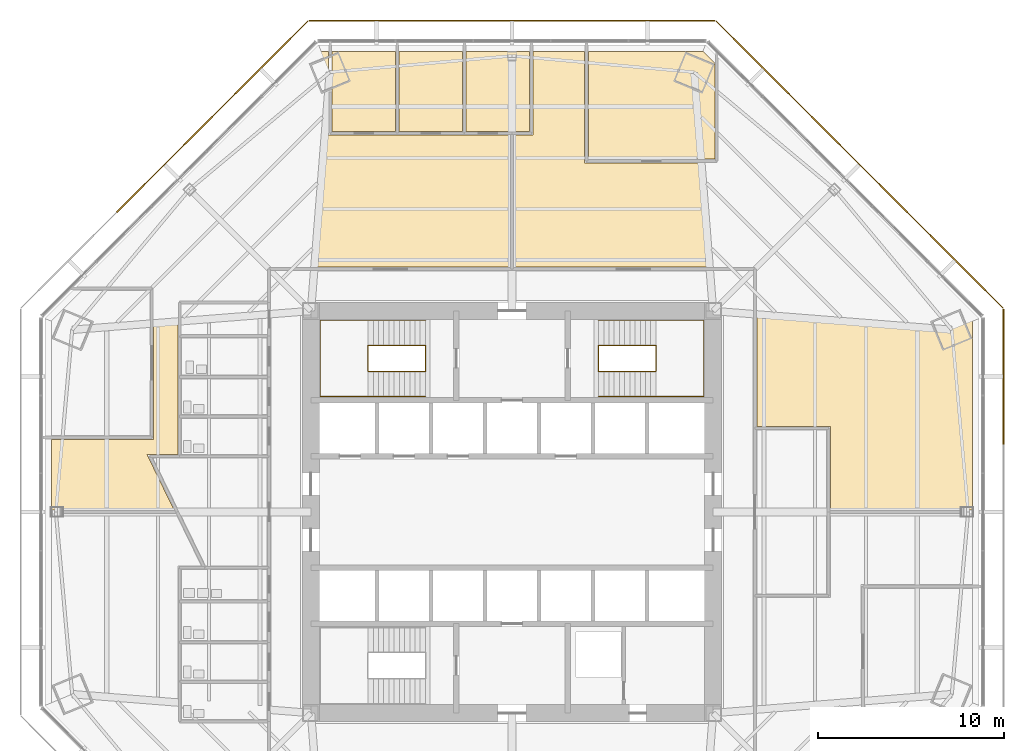
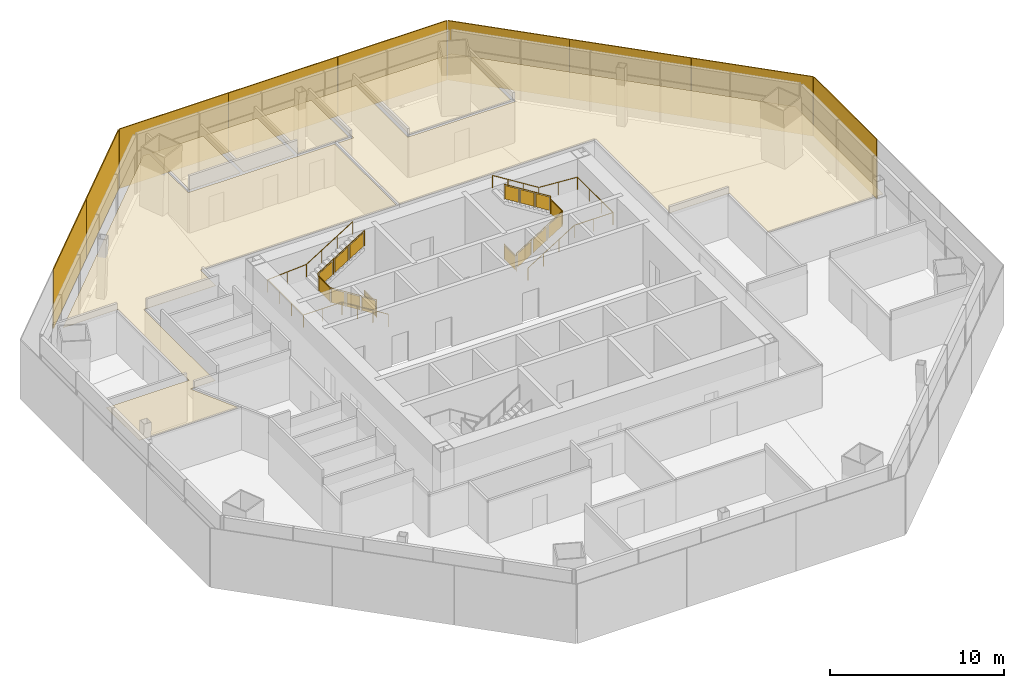
# One storey, part 15 of 16: 9 shading devices, 6 coverings, 4 railings.
"""IFC4 building model written with IfcOpenShell, lengths in metres."""

from ifc_helpers import new_model, si_unit, direction, frame, origin, origin_2d, place, context, subcontext, project, spatial, polyline, rectangle, circle, outline, extrude, source, transform, mapped, material, layer, layer_set, type_object, type_shapes, element, save


model = new_model("IFC4")

# Units and contexts
model_context = context("Model", 3, precision=1e-05, world=origin(), true_north=direction((0.0, 1.0)))
body_context = subcontext(model_context, "Body", "Model", "MODEL_VIEW")
ifc_project = project(units=[si_unit("LENGTHUNIT", "METRE"), si_unit("AREAUNIT", "SQUARE_METRE"), si_unit("VOLUMEUNIT", "CUBIC_METRE"), si_unit("PLANEANGLEUNIT", "RADIAN"), si_unit("MASSUNIT", "GRAM", prefix="KILO")], contexts=[model_context])

# Site, building, storey
site_placement = place(None, origin())
site = spatial("IfcSite", under=ifc_project, at=site_placement, CompositionType="ELEMENT")
building_placement = place(site_placement, origin())
building = spatial("IfcBuilding", under=site, at=building_placement, Name="Mashrafa Tower", CompositionType="ELEMENT")
storey_placement = place(building_placement, frame((0.0, 0.0, 96.0)))
storey = spatial("IfcBuildingStorey", under=building, at=storey_placement, Name="L21", CompositionType="ELEMENT", Elevation=96.0)

# Railings
ifc_material_1 = material(Name="Steel guard with glass infill", Category="steel")
railing_type_1 = type_object("IfcRailingType", Name="Stair guard 1100", PredefinedType="GUARDRAIL", material=ifc_material_1)
railing_1_placement = place(storey_placement, frame((-4.64990234375, 8.949951171875, 0.0)))
element("IfcRailing", 1, at=railing_1_placement, inside=storey, type_object=railing_type_1, Name="Stair S1 guard L21", PredefinedType="GUARDRAIL", context=body_context, shape_type="SweptSolid", body=[
    extrude(circle(Radius=0.02392578125, at=origin_2d()), frame((0.0, 0.0, 1.076171875), z_axis=(0.0, -1.0, 0.0), x_axis=(1.0, 0.0, 0.0)), (0.0, 0.0, 1.0), 1.39990234375),
    extrude(circle(Radius=0.02392578125, at=origin_2d()), frame((0.0, -1.39990234375, 1.076171875), z_axis=(0.0, 0.0, 1.0), x_axis=(1.0, 0.0, 0.0)), (0.0, 0.0, 1.0), 0.175048828125),
    extrude(circle(Radius=0.02392578125, at=origin_2d()), frame((0.0, -1.39990234375, 1.2509765625), z_axis=(-0.847998304005, 0.0, 0.529998940003), x_axis=(0.0, -1.0, 0.0)), (0.0, 0.0, 1.0), 3.632080078125),
    extrude(circle(Radius=0.02392578125, at=origin_2d()), frame((-3.080078125, -1.39990234375, 3.17626953125), z_axis=(0.0, 1.0, 0.0), x_axis=(-1.0, 0.0, 0.0)), (0.0, 0.0, 1.0), 1.39990234375),
    extrude(circle(Radius=0.02392578125, at=origin_2d()), frame((-3.080078125, 0.0, 3.17626953125), z_axis=(0.0, 0.0, 1.0), x_axis=(1.0, 0.0, 0.0)), (0.0, 0.0, 1.0), 0.1748046875),
    extrude(circle(Radius=0.02392578125, at=origin_2d()), frame((-3.080078125, 0.0, 3.35107421875), z_axis=(0.847998304005, 0.0, 0.529998940003), x_axis=(0.0, 1.0, 0.0)), (0.0, 0.0, 1.0), 3.632080078125),
    extrude(circle(Radius=0.02099609375, at=origin_2d()), origin(), (0.0, 0.0, 1.0), 1.052001953125),
    extrude(circle(Radius=0.02099609375, at=origin_2d()), frame((0.0, -1.39990234375, 0.0)), (0.0, 0.0, 1.0), 1.052001953125),
    extrude(circle(Radius=0.02099609375, at=origin_2d()), frame((0.0, -1.39990234375, 0.175048828125)), (0.0, 0.0, 1.0), 1.052001953125),
    extrude(circle(Radius=0.02099609375, at=origin_2d()), frame((-1.026611328125, -1.39990234375, 0.816650390625)), (0.0, 0.0, 1.0), 1.052001953125),
    extrude(circle(Radius=0.02099609375, at=origin_2d()), frame((-2.053466796875, -1.39990234375, 1.45849609375)), (0.0, 0.0, 1.0), 1.052001953125),
    extrude(circle(Radius=0.02099609375, at=origin_2d()), frame((-3.080078125, -1.39990234375, 2.10009765625)), (0.0, 0.0, 1.0), 1.052001953125),
    extrude(circle(Radius=0.02099609375, at=origin_2d()), frame((-3.080078125, 0.0, 2.10009765625)), (0.0, 0.0, 1.0), 1.052001953125),
    extrude(circle(Radius=0.02099609375, at=origin_2d()), frame((-3.080078125, 0.0, 2.27490234375)), (0.0, 0.0, 1.0), 1.052001953125),
    extrude(circle(Radius=0.02099609375, at=origin_2d()), frame((-2.053466796875, 0.0, 2.91650390625)), (0.0, 0.0, 1.0), 1.052001953125),
    extrude(circle(Radius=0.02099609375, at=origin_2d()), frame((-1.026611328125, 0.0, 3.558349609375)), (0.0, 0.0, 1.0), 1.052001953125),
    extrude(circle(Radius=0.02099609375, at=origin_2d()), frame((0.0, 0.0, 4.199951171875)), (0.0, 0.0, 1.0), 1.052001953125),
    extrude(outline(polyline([(0.071044921875, 0.050048828125), (1.328857421875, 0.050048828125), (1.328857421875, 1.001953125), (0.071044921875, 1.001953125), (0.071044921875, 0.050048828125)])), frame((-0.006103515625, 0.0, 0.0), z_axis=(-1.0, 0.0, 0.0), x_axis=(0.0, -1.0, 0.0)), (0.0, 0.0, 1.0), 0.011962890625),
    extrude(outline(polyline([(0.071044921875, 0.094482421875), (0.955810546875, 0.647216796875), (0.955810546875, 1.599365234375), (0.071044921875, 1.04638671875), (0.071044921875, 0.094482421875)])), frame((0.0, -1.393798828125, 0.175048828125), z_axis=(0.0, 1.0, 0.0), x_axis=(-1.0, 0.0, 0.0)), (0.0, 0.0, 1.0), 0.011962890625),
    extrude(outline(polyline([(1.09765625, 0.736083984375), (1.982421875, 1.2890625), (1.982421875, 2.240966796875), (1.09765625, 1.68798828125), (1.09765625, 0.736083984375)])), frame((0.0, -1.393798828125, 0.175048828125), z_axis=(0.0, 1.0, 0.0), x_axis=(-1.0, 0.0, 0.0)), (0.0, 0.0, 1.0), 0.011962890625),
    extrude(outline(polyline([(2.124267578125, 1.377685546875), (3.009033203125, 1.9306640625), (3.009033203125, 2.882568359375), (2.124267578125, 2.329833984375), (2.124267578125, 1.377685546875)])), frame((0.0, -1.393798828125, 0.175048828125), z_axis=(0.0, 1.0, 0.0), x_axis=(-1.0, 0.0, 0.0)), (0.0, 0.0, 1.0), 0.011962890625),
    extrude(outline(polyline([(0.071044921875, 0.050048828125), (1.328857421875, 0.050048828125), (1.328857421875, 1.001953125), (0.071044921875, 1.001953125), (0.071044921875, 0.050048828125)])), frame((-3.073974609375, -1.39990234375, 2.10009765625), z_axis=(1.0, 0.0, 0.0), x_axis=(0.0, 1.0, 0.0)), (0.0, 0.0, 1.0), 0.011962890625),
    extrude(outline(polyline([(0.071044921875, 0.094482421875), (0.955810546875, 0.647216796875), (0.955810546875, 1.599365234375), (0.071044921875, 1.04638671875), (0.071044921875, 0.094482421875)])), frame((-3.080078125, -0.006103515625, 2.27490234375), z_axis=(0.0, -1.0, 0.0), x_axis=(1.0, 0.0, 0.0)), (0.0, 0.0, 1.0), 0.011962890625),
    extrude(outline(polyline([(1.09765625, 0.736083984375), (1.982421875, 1.2890625), (1.982421875, 2.240966796875), (1.09765625, 1.68798828125), (1.09765625, 0.736083984375)])), frame((-3.080078125, -0.006103515625, 2.27490234375), z_axis=(0.0, -1.0, 0.0), x_axis=(1.0, 0.0, 0.0)), (0.0, 0.0, 1.0), 0.011962890625),
    extrude(outline(polyline([(2.124267578125, 1.377685546875), (3.009033203125, 1.9306640625), (3.009033203125, 2.882568359375), (2.124267578125, 2.329833984375), (2.124267578125, 1.377685546875)])), frame((-3.080078125, -0.006103515625, 2.27490234375), z_axis=(0.0, -1.0, 0.0), x_axis=(1.0, 0.0, 0.0)), (0.0, 0.0, 1.0), 0.011962890625),
])
railing_2_placement = place(storey_placement, frame((4.64990234375, 8.949951171875, 0.0)))
element("IfcRailing", 2, at=railing_2_placement, inside=storey, type_object=railing_type_1, Name="Stair S2 guard L21", PredefinedType="GUARDRAIL", context=body_context, shape_type="SweptSolid", body=[
    extrude(circle(Radius=0.02392578125, at=origin_2d()), frame((0.0, 0.0, 1.076171875), z_axis=(0.0, -1.0, 0.0), x_axis=(1.0, 0.0, 0.0)), (0.0, 0.0, 1.0), 1.39990234375),
    extrude(circle(Radius=0.02392578125, at=origin_2d()), frame((0.0, -1.39990234375, 1.076171875), z_axis=(0.0, 0.0, 1.0), x_axis=(1.0, 0.0, 0.0)), (0.0, 0.0, 1.0), 0.175048828125),
    extrude(circle(Radius=0.02392578125, at=origin_2d()), frame((0.0, -1.39990234375, 1.2509765625), z_axis=(0.847998304005, 0.0, 0.529998940003), x_axis=(0.0, 1.0, 0.0)), (0.0, 0.0, 1.0), 3.632080078125),
    extrude(circle(Radius=0.02392578125, at=origin_2d()), frame((3.080078125, -1.39990234375, 3.17626953125), z_axis=(0.0, 1.0, 0.0), x_axis=(-1.0, 0.0, 0.0)), (0.0, 0.0, 1.0), 1.39990234375),
    extrude(circle(Radius=0.02392578125, at=origin_2d()), frame((3.080078125, 0.0, 3.17626953125), z_axis=(0.0, 0.0, 1.0), x_axis=(1.0, 0.0, 0.0)), (0.0, 0.0, 1.0), 0.1748046875),
    extrude(circle(Radius=0.02392578125, at=origin_2d()), frame((3.080078125, 0.0, 3.35107421875), z_axis=(-0.847998304005, 0.0, 0.529998940003), x_axis=(0.0, -1.0, 0.0)), (0.0, 0.0, 1.0), 3.632080078125),
    extrude(circle(Radius=0.02099609375, at=origin_2d()), origin(), (0.0, 0.0, 1.0), 1.052001953125),
    extrude(circle(Radius=0.02099609375, at=origin_2d()), frame((0.0, -1.39990234375, 0.0)), (0.0, 0.0, 1.0), 1.052001953125),
    extrude(circle(Radius=0.02099609375, at=origin_2d()), frame((0.0, -1.39990234375, 0.175048828125)), (0.0, 0.0, 1.0), 1.052001953125),
    extrude(circle(Radius=0.02099609375, at=origin_2d()), frame((1.026611328125, -1.39990234375, 0.816650390625)), (0.0, 0.0, 1.0), 1.052001953125),
    extrude(circle(Radius=0.02099609375, at=origin_2d()), frame((2.053466796875, -1.39990234375, 1.45849609375)), (0.0, 0.0, 1.0), 1.052001953125),
    extrude(circle(Radius=0.02099609375, at=origin_2d()), frame((3.080078125, -1.39990234375, 2.10009765625)), (0.0, 0.0, 1.0), 1.052001953125),
    extrude(circle(Radius=0.02099609375, at=origin_2d()), frame((3.080078125, 0.0, 2.10009765625)), (0.0, 0.0, 1.0), 1.052001953125),
    extrude(circle(Radius=0.02099609375, at=origin_2d()), frame((3.080078125, 0.0, 2.27490234375)), (0.0, 0.0, 1.0), 1.052001953125),
    extrude(circle(Radius=0.02099609375, at=origin_2d()), frame((2.053466796875, 0.0, 2.91650390625)), (0.0, 0.0, 1.0), 1.052001953125),
    extrude(circle(Radius=0.02099609375, at=origin_2d()), frame((1.026611328125, 0.0, 3.558349609375)), (0.0, 0.0, 1.0), 1.052001953125),
    extrude(circle(Radius=0.02099609375, at=origin_2d()), frame((0.0, 0.0, 4.199951171875)), (0.0, 0.0, 1.0), 1.052001953125),
    extrude(outline(polyline([(0.071044921875, 0.050048828125), (1.328857421875, 0.050048828125), (1.328857421875, 1.001953125), (0.071044921875, 1.001953125), (0.071044921875, 0.050048828125)])), frame((-0.006103515625, 0.0, 0.0), z_axis=(-1.0, 0.0, 0.0), x_axis=(0.0, -1.0, 0.0)), (0.0, 0.0, 1.0), 0.011962890625),
    extrude(outline(polyline([(0.071044921875, 0.094482421875), (0.955810546875, 0.647216796875), (0.955810546875, 1.599365234375), (0.071044921875, 1.04638671875), (0.071044921875, 0.094482421875)])), frame((0.0, -1.406005859375, 0.175048828125), z_axis=(0.0, -1.0, 0.0), x_axis=(1.0, 0.0, 0.0)), (0.0, 0.0, 1.0), 0.011962890625),
    extrude(outline(polyline([(1.09765625, 0.736083984375), (1.982421875, 1.2890625), (1.982421875, 2.240966796875), (1.09765625, 1.68798828125), (1.09765625, 0.736083984375)])), frame((0.0, -1.406005859375, 0.175048828125), z_axis=(0.0, -1.0, 0.0), x_axis=(1.0, 0.0, 0.0)), (0.0, 0.0, 1.0), 0.011962890625),
    extrude(outline(polyline([(2.124267578125, 1.377685546875), (3.009033203125, 1.9306640625), (3.009033203125, 2.882568359375), (2.124267578125, 2.329833984375), (2.124267578125, 1.377685546875)])), frame((0.0, -1.406005859375, 0.175048828125), z_axis=(0.0, -1.0, 0.0), x_axis=(1.0, 0.0, 0.0)), (0.0, 0.0, 1.0), 0.011962890625),
    extrude(outline(polyline([(0.071044921875, 0.050048828125), (1.328857421875, 0.050048828125), (1.328857421875, 1.001953125), (0.071044921875, 1.001953125), (0.071044921875, 0.050048828125)])), frame((3.086181640625, -1.39990234375, 2.10009765625), z_axis=(1.0, 0.0, 0.0), x_axis=(0.0, 1.0, 0.0)), (0.0, 0.0, 1.0), 0.011962890625),
    extrude(outline(polyline([(0.071044921875, 0.094482421875), (0.955810546875, 0.647216796875), (0.955810546875, 1.599365234375), (0.071044921875, 1.04638671875), (0.071044921875, 0.094482421875)])), frame((3.080078125, 0.006103515625, 2.27490234375), z_axis=(0.0, 1.0, 0.0), x_axis=(-1.0, 0.0, 0.0)), (0.0, 0.0, 1.0), 0.011962890625),
    extrude(outline(polyline([(1.09765625, 0.736083984375), (1.982421875, 1.2890625), (1.982421875, 2.240966796875), (1.09765625, 1.68798828125), (1.09765625, 0.736083984375)])), frame((3.080078125, 0.006103515625, 2.27490234375), z_axis=(0.0, 1.0, 0.0), x_axis=(-1.0, 0.0, 0.0)), (0.0, 0.0, 1.0), 0.011962890625),
    extrude(outline(polyline([(2.124267578125, 1.377685546875), (3.009033203125, 1.9306640625), (3.009033203125, 2.882568359375), (2.124267578125, 2.329833984375), (2.124267578125, 1.377685546875)])), frame((3.080078125, 0.006103515625, 2.27490234375), z_axis=(0.0, 1.0, 0.0), x_axis=(-1.0, 0.0, 0.0)), (0.0, 0.0, 1.0), 0.011962890625),
])
ifc_material_2 = material(Name="Steel", Category="steel")
railing_type_2 = type_object("IfcRailingType", Name="Stair handrail 900", PredefinedType="HANDRAIL", material=ifc_material_2)
railing_3_placement = place(storey_placement, frame((-4.64990234375, 6.199951171875, 0.175048828125)))
element("IfcRailing", 3, at=railing_3_placement, inside=storey, type_object=railing_type_2, Name="Stair S1 handrail L21", PredefinedType="HANDRAIL", context=body_context, shape_type="SweptSolid", body=[
    extrude(circle(Radius=0.02392578125, at=origin_2d()), frame((0.0, 0.0, 0.8759765625), z_axis=(-0.847998304005, 0.0, 0.529998940003), x_axis=(0.0, -1.0, 0.0)), (0.0, 0.0, 1.0), 3.632080078125),
    extrude(circle(Radius=0.02392578125, at=origin_2d()), frame((-3.080078125, 0.0, 2.80078125), z_axis=(-1.0, 0.0, 0.0), x_axis=(0.0, -1.0, 0.0)), (0.0, 0.0, 1.0), 2.570068359375),
    extrude(circle(Radius=0.02392578125, at=origin_2d()), frame((-5.650146484375, 0.0, 2.80078125), z_axis=(0.0, 1.0, 0.0), x_axis=(-1.0, 0.0, 0.0)), (0.0, 0.0, 1.0), 4.10009765625),
    extrude(circle(Radius=0.02392578125, at=origin_2d()), frame((-5.650146484375, 4.10009765625, 2.80078125), z_axis=(0.99769493506, 0.0, 0.067858798661), x_axis=(0.0, 1.0, 0.0)), (0.0, 0.0, 1.0), 2.575927734375),
    extrude(circle(Radius=0.02392578125, at=origin_2d()), frame((-3.080078125, 4.10009765625, 2.9755859375), z_axis=(0.847998304005, 0.0, 0.529998940003), x_axis=(0.0, 1.0, 0.0)), (0.0, 0.0, 1.0), 3.632080078125),
    extrude(circle(Radius=0.02099609375, at=origin_2d()), origin(), (0.0, 0.0, 1.0), 0.851806640625),
    extrude(circle(Radius=0.02099609375, at=origin_2d()), frame((-1.026611328125, 0.0, 0.6416015625)), (0.0, 0.0, 1.0), 0.851806640625),
    extrude(circle(Radius=0.02099609375, at=origin_2d()), frame((-2.053466796875, 0.0, 1.283447265625)), (0.0, 0.0, 1.0), 0.851806640625),
    extrude(circle(Radius=0.02099609375, at=origin_2d()), frame((-3.080078125, 0.0, 1.925048828125)), (0.0, 0.0, 1.0), 0.851806640625),
    extrude(circle(Radius=0.02099609375, at=origin_2d()), frame((-4.365234375, 0.0, 1.925048828125)), (0.0, 0.0, 1.0), 0.851806640625),
    extrude(circle(Radius=0.02099609375, at=origin_2d()), frame((-5.650146484375, 0.0, 1.925048828125)), (0.0, 0.0, 1.0), 0.851806640625),
    extrude(circle(Radius=0.02099609375, at=origin_2d()), frame((-5.650146484375, 1.36669921875, 1.925048828125)), (0.0, 0.0, 1.0), 0.851806640625),
    extrude(circle(Radius=0.02099609375, at=origin_2d()), frame((-5.650146484375, 2.7333984375, 1.925048828125)), (0.0, 0.0, 1.0), 0.851806640625),
    extrude(circle(Radius=0.02099609375, at=origin_2d()), frame((-5.650146484375, 4.10009765625, 1.925048828125)), (0.0, 0.0, 1.0), 0.851806640625),
    extrude(circle(Radius=0.02099609375, at=origin_2d()), frame((-4.365234375, 4.10009765625, 2.012451171875)), (0.0, 0.0, 1.0), 0.851806640625),
    extrude(circle(Radius=0.02099609375, at=origin_2d()), frame((-3.080078125, 4.10009765625, 2.099853515625)), (0.0, 0.0, 1.0), 0.851806640625),
    extrude(circle(Radius=0.02099609375, at=origin_2d()), frame((-2.053466796875, 4.10009765625, 2.741455078125)), (0.0, 0.0, 1.0), 0.851806640625),
    extrude(circle(Radius=0.02099609375, at=origin_2d()), frame((-1.026611328125, 4.10009765625, 3.38330078125)), (0.0, 0.0, 1.0), 0.851806640625),
    extrude(circle(Radius=0.02099609375, at=origin_2d()), frame((0.0, 4.10009765625, 4.02490234375)), (0.0, 0.0, 1.0), 0.851806640625),
])
railing_4_placement = place(storey_placement, frame((4.64990234375, 6.199951171875, 0.175048828125)))
element("IfcRailing", 4, at=railing_4_placement, inside=storey, type_object=railing_type_2, Name="Stair S2 handrail L21", PredefinedType="HANDRAIL", context=body_context, shape_type="SweptSolid", body=[
    extrude(circle(Radius=0.02392578125, at=origin_2d()), frame((0.0, 0.0, 0.8759765625), z_axis=(0.847998304005, 0.0, 0.529998940003), x_axis=(0.0, 1.0, 0.0)), (0.0, 0.0, 1.0), 3.632080078125),
    extrude(circle(Radius=0.02392578125, at=origin_2d()), frame((3.080078125, 0.0, 2.80078125), z_axis=(1.0, 0.0, 0.0), x_axis=(0.0, 1.0, 0.0)), (0.0, 0.0, 1.0), 2.570068359375),
    extrude(circle(Radius=0.02392578125, at=origin_2d()), frame((5.650146484375, 0.0, 2.80078125), z_axis=(0.0, 1.0, 0.0), x_axis=(-1.0, 0.0, 0.0)), (0.0, 0.0, 1.0), 4.10009765625),
    extrude(circle(Radius=0.02392578125, at=origin_2d()), frame((5.650146484375, 4.10009765625, 2.80078125), z_axis=(-0.99769493506, 0.0, 0.067858798661), x_axis=(0.0, -1.0, 0.0)), (0.0, 0.0, 1.0), 2.575927734375),
    extrude(circle(Radius=0.02392578125, at=origin_2d()), frame((3.080078125, 4.10009765625, 2.9755859375), z_axis=(-0.847998304005, 0.0, 0.529998940003), x_axis=(0.0, -1.0, 0.0)), (0.0, 0.0, 1.0), 3.632080078125),
    extrude(circle(Radius=0.02099609375, at=origin_2d()), origin(), (0.0, 0.0, 1.0), 0.851806640625),
    extrude(circle(Radius=0.02099609375, at=origin_2d()), frame((1.026611328125, 0.0, 0.6416015625)), (0.0, 0.0, 1.0), 0.851806640625),
    extrude(circle(Radius=0.02099609375, at=origin_2d()), frame((2.053466796875, 0.0, 1.283447265625)), (0.0, 0.0, 1.0), 0.851806640625),
    extrude(circle(Radius=0.02099609375, at=origin_2d()), frame((3.080078125, 0.0, 1.925048828125)), (0.0, 0.0, 1.0), 0.851806640625),
    extrude(circle(Radius=0.02099609375, at=origin_2d()), frame((4.365234375, 0.0, 1.925048828125)), (0.0, 0.0, 1.0), 0.851806640625),
    extrude(circle(Radius=0.02099609375, at=origin_2d()), frame((5.650146484375, 0.0, 1.925048828125)), (0.0, 0.0, 1.0), 0.851806640625),
    extrude(circle(Radius=0.02099609375, at=origin_2d()), frame((5.650146484375, 1.36669921875, 1.925048828125)), (0.0, 0.0, 1.0), 0.851806640625),
    extrude(circle(Radius=0.02099609375, at=origin_2d()), frame((5.650146484375, 2.7333984375, 1.925048828125)), (0.0, 0.0, 1.0), 0.851806640625),
    extrude(circle(Radius=0.02099609375, at=origin_2d()), frame((5.650146484375, 4.10009765625, 1.925048828125)), (0.0, 0.0, 1.0), 0.851806640625),
    extrude(circle(Radius=0.02099609375, at=origin_2d()), frame((4.365234375, 4.10009765625, 2.012451171875)), (0.0, 0.0, 1.0), 0.851806640625),
    extrude(circle(Radius=0.02099609375, at=origin_2d()), frame((3.080078125, 4.10009765625, 2.099853515625)), (0.0, 0.0, 1.0), 0.851806640625),
    extrude(circle(Radius=0.02099609375, at=origin_2d()), frame((2.053466796875, 4.10009765625, 2.741455078125)), (0.0, 0.0, 1.0), 0.851806640625),
    extrude(circle(Radius=0.02099609375, at=origin_2d()), frame((1.026611328125, 4.10009765625, 3.38330078125)), (0.0, 0.0, 1.0), 0.851806640625),
    extrude(circle(Radius=0.02099609375, at=origin_2d()), frame((0.0, 4.10009765625, 4.02490234375)), (0.0, 0.0, 1.0), 0.851806640625),
])

# Coverings
ifc_material_3 = material(Name="Mineral fibre tile on suspension grid")
ifc_layer_1 = layer(ifc_material_3, 0.014892578125)
ifc_layer_set_1 = layer_set([ifc_layer_1], Name="Suspended ceiling mineral tile 15")
covering_type = type_object("IfcCoveringType", Name="Suspended ceiling mineral tile 15", PredefinedType="CEILING", material=ifc_layer_set_1)
covering_1_placement = place(storey_placement, frame((0.0, 0.0, 2.89990234375)))
element("IfcCovering", 5, at=covering_1_placement, inside=storey, type_object=covering_type, Name="Ceiling Chairman's Office 21", PredefinedType="CEILING", context=body_context, shape_type="SweptSolid", body=[
    extrude(outline(polyline([(4.10009765625, 24.7490234375), (10.25146484375, 24.7490234375), (10.89990234375, 24.100341796875), (10.89990234375, 18.948974609375), (4.10009765625, 18.948974609375), (4.10009765625, 24.7490234375)])), origin(), (0.0, 0.0, 1.0), 0.01513671875),
])
covering_2_placement = place(storey_placement, frame((0.0, 0.0, 2.89990234375)))
element("IfcCovering", 6, at=covering_2_placement, inside=storey, type_object=covering_type, Name="Ceiling Executive Office 21-1", PredefinedType="CEILING", context=body_context, shape_type="SweptSolid", body=[
    extrude(outline(polyline([(-2.458984375, 24.7490234375), (0.94091796875, 24.7490234375), (0.94091796875, 20.448974609375), (-2.458984375, 20.448974609375), (-2.458984375, 24.7490234375)])), origin(), (0.0, 0.0, 1.0), 0.01513671875),
])
covering_3_placement = place(storey_placement, frame((0.0, 0.0, 2.89990234375)))
element("IfcCovering", 7, at=covering_3_placement, inside=storey, type_object=covering_type, Name="Ceiling Executive Office 21-2", PredefinedType="CEILING", context=body_context, shape_type="SweptSolid", body=[
    extrude(outline(polyline([(-6.05908203125, 24.7490234375), (-2.658935546875, 24.7490234375), (-2.658935546875, 20.448974609375), (-6.05908203125, 20.448974609375), (-6.05908203125, 24.7490234375)])), origin(), (0.0, 0.0, 1.0), 0.01513671875),
])
covering_4_placement = place(storey_placement, frame((0.0, 0.0, 2.89990234375)))
element("IfcCovering", 8, at=covering_4_placement, inside=storey, type_object=covering_type, Name="Ceiling Executive Office 21-3", PredefinedType="CEILING", context=body_context, shape_type="SweptSolid", body=[
    extrude(outline(polyline([(-9.658935546875, 24.7490234375), (-6.259033203125, 24.7490234375), (-6.259033203125, 20.448974609375), (-9.658935546875, 20.448974609375), (-9.658935546875, 24.7490234375)])), origin(), (0.0, 0.0, 1.0), 0.01513671875),
])
covering_5_placement = place(storey_placement, frame((0.0, 0.0, 2.89990234375)))
element("IfcCovering", 9, at=covering_5_placement, inside=storey, type_object=covering_type, Name="Ceiling Executive Support Office 21-NE", PredefinedType="CEILING", context=body_context, shape_type="SweptSolid", body=[
    extrude(outline(polyline([(0.10009765625, 13.14990234375), (0.10009765625, 20.2490234375), (1.14111328125, 20.2490234375), (1.14111328125, 24.7490234375), (3.89990234375, 24.7490234375), (3.89990234375, 18.7490234375), (11.10009765625, 18.7490234375), (11.10009765625, 23.900390625), (24.7490234375, 10.25146484375), (24.7490234375, 0.10009765625), (17.10009765625, 0.10009765625), (17.10009765625, 4.60009765625), (13.14990234375, 4.60009765625), (13.14990234375, 13.14990234375), (0.10009765625, 13.14990234375)])), origin(), (0.0, 0.0, 1.0), 0.01513671875),
])
covering_6_placement = place(storey_placement, frame((0.0, 0.0, 2.89990234375)))
element("IfcCovering", 10, at=covering_6_placement, inside=storey, type_object=covering_type, Name="Ceiling Strategy and Planning Office 21-NW", PredefinedType="CEILING", context=body_context, shape_type="SweptSolid", body=[
    extrude(outline(polyline([(-18.146728515625, 0.10009765625), (-24.7490234375, 0.10009765625), (-24.7490234375, 3.89990234375), (-19.2490234375, 3.89990234375), (-19.2490234375, 12.10009765625), (-22.900390625, 12.10009765625), (-10.25146484375, 24.7490234375), (-9.85888671875, 24.7490234375), (-9.85888671875, 20.2490234375), (-0.10009765625, 20.2490234375), (-0.10009765625, 13.14990234375), (-13.14990234375, 13.14990234375), (-13.14990234375, 11.35009765625), (-17.949951171875, 11.35009765625), (-17.949951171875, 3.10009765625), (-19.610107421875, 3.10009765625), (-18.146728515625, 0.10009765625)])), origin(), (0.0, 0.0, 1.0), 0.01513671875),
])

# Shading devices
ifc_material_4 = material(Name="Perforated aluminium plate, eight-point star pattern", Category="aluminium")
ifc_layer_2 = layer(ifc_material_4, 0.06005859375)
ifc_layer_set_2 = layer_set([ifc_layer_2], Name="Mashrabiya screen panel office zone 1, 45 percent open")
shading_device_type = type_object("IfcShadingDeviceType", Name="Mashrabiya screen panel office zone 1, 45 percent open", PredefinedType="SHUTTER", material=ifc_layer_set_2)
shared_shape = source(origin(), body_context, "Body", "SweptSolid", [
    extrude(rectangle(XDim=7.2548828125, YDim=0.06005859375, at=origin_2d()), origin(), (0.0, 0.0, 1.0), 4.179931640625),
])
type_shapes(shading_device_type, [shared_shape])
for number, where, z_axis, x_axis, name in (
    (11, (26.39892578125, 7.27490234375, -0.14990234375), (0.0, 0.0, 1.0), (0.0, 1.0, 0.0), "Mashrabiya screen L21 east 3"),
    (12, (23.81103515625, 13.522705078125, -0.14990234375), (0.0, 0.0, 1.0), (-0.707106781187, 0.707106781187, 0.0), "Mashrabiya screen L21 north-east 1"),
    (13, (18.6669921875, 18.6669921875, -0.14990234375), (0.0, 0.0, 1.0), (-0.707106781187, 0.707106781187, 0.0), "Mashrabiya screen L21 north-east 2"),
    (14, (13.522705078125, 23.81103515625, -0.14990234375), (0.0, 0.0, 1.0), (-0.707106781187, 0.707106781187, 0.0), "Mashrabiya screen L21 north-east 3"),
    (15, (7.27490234375, 26.39892578125, -0.14990234375), (0.0, 0.0, 1.0), (-1.0, 0.0, 0.0), "Mashrabiya screen L21 north 1"),
    (16, (0.0, 26.39892578125, -0.14990234375), (0.0, 0.0, 1.0), (-1.0, 0.0, 0.0), "Mashrabiya screen L21 north 2"),
    (17, (-7.27490234375, 26.39892578125, -0.14990234375), (0.0, 0.0, 1.0), (-1.0, 0.0, 0.0), "Mashrabiya screen L21 north 3"),
    (18, (-13.522705078125, 23.81103515625, -0.14990234375), (0.0, 0.0, 1.0), (-0.707106781187, -0.707106781187, 0.0), "Mashrabiya screen L21 north-west 1"),
    (19, (-18.6669921875, 18.6669921875, -0.14990234375), (0.0, 0.0, 1.0), (-0.707106781187, -0.707106781187, 0.0), "Mashrabiya screen L21 north-west 2"),
):
    element("IfcShadingDevice", number, at=place(storey_placement, frame(where, z_axis=z_axis, x_axis=x_axis)), inside=storey, type_object=shading_device_type, Name=name, PredefinedType="SHUTTER", context=body_context, shape_type="MappedRepresentation", body=[
        mapped(shared_shape, transform((0.0, 0.0, 0.0))),
    ])

save(model, "model.ifc")
